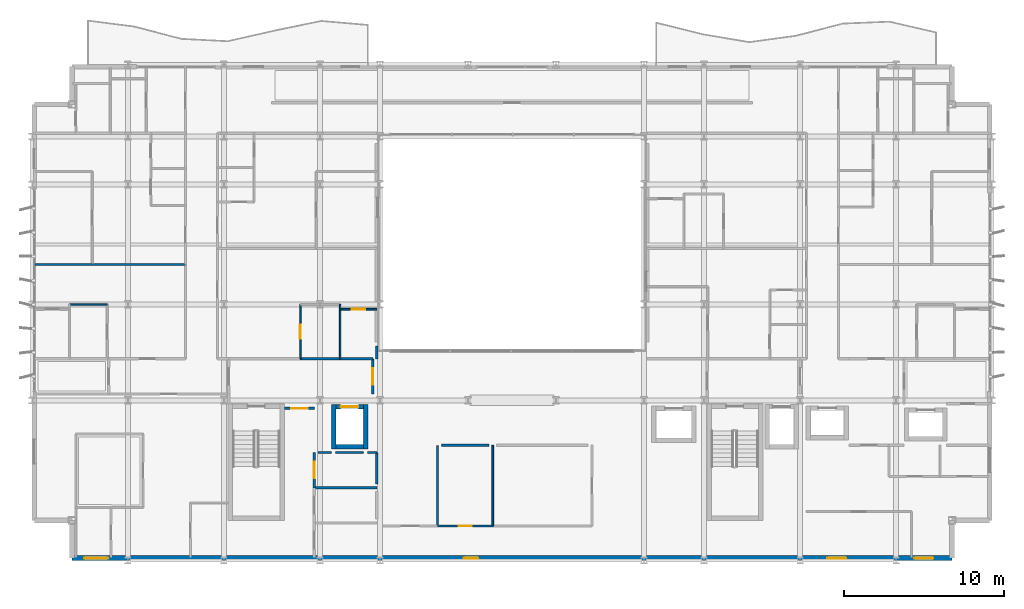
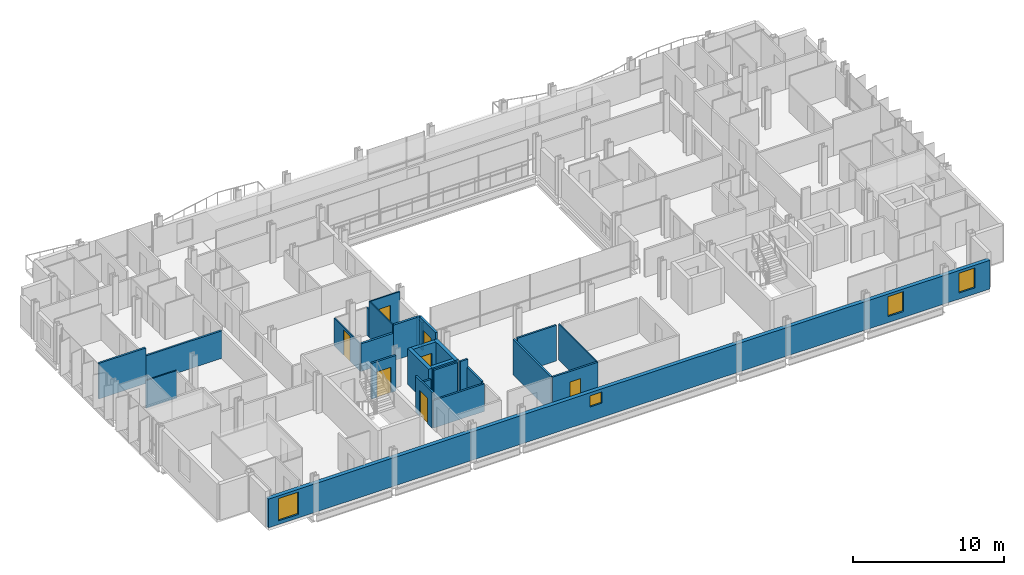
# One storey, part 28 of 38: 27 walls, 7 doors, 4 windows, 11 openings.
"""IFC4 building model written with IfcOpenShell, lengths in metres."""

from ifc_helpers import new_model, si_unit, direction, frame, frame_2d, origin, place, context, subcontext, project, spatial, rectangle, extrude, material, layer, layer_set, type_object, element, fill, save


model = new_model("IFC4")

# Units and contexts
model_context = context("Model", 3, precision=1e-05, world=origin(), true_north=direction((0.0, 1.0)))
body_context = subcontext(model_context, "Body", "Model", "MODEL_VIEW")
ifc_project = project(units=[si_unit("LENGTHUNIT", "METRE"), si_unit("AREAUNIT", "SQUARE_METRE"), si_unit("VOLUMEUNIT", "CUBIC_METRE"), si_unit("PLANEANGLEUNIT", "RADIAN"), si_unit("MASSUNIT", "GRAM", prefix="KILO")], contexts=[model_context])

# Site, building, storey
site_placement = place(None, origin())
site = spatial("IfcSite", under=ifc_project, at=site_placement, CompositionType="ELEMENT")
building_placement = place(site_placement, origin())
building = spatial("IfcBuilding", under=site, at=building_placement, Name="Brevholm Reach", CompositionType="ELEMENT")
storey_placement = place(building_placement, frame((0.0, 0.0, 52.800048828125)))
storey = spatial("IfcBuildingStorey", under=building, at=storey_placement, Name="L14", CompositionType="ELEMENT", Elevation=52.800048828125)

# Walls
ifc_material_1 = material(Name="Concrete C50/60", Category="concrete")
ifc_layer_1 = layer(ifc_material_1, 0.280029296875)
ifc_layer_set_1 = layer_set([ifc_layer_1], Name="Concrete C50/60")
wall_type_1 = type_object("IfcWallType", Name="WAL-COR-280", PredefinedType="SHEAR", material=ifc_layer_set_1)
for number, where, z_axis, x_axis, name in (
    (1, (18.85009765625, 6.9599609375, 0.0), (0.0, 0.0, 1.0), (0.0, 1.0, 0.0), "L14 Lift FFL-1 Shaft Wall W"),
    (2, (20.85009765625, 6.9599609375, 0.0), (0.0, 0.0, 1.0), (0.0, 1.0, 0.0), "L14 Lift FFL-1 Shaft Wall E"),
):
    element("IfcWall", number, at=place(storey_placement, frame(where, z_axis=z_axis, x_axis=x_axis)), inside=storey, type_object=wall_type_1, Name=name, PredefinedType="SHEAR", context=body_context, shape_type="SweptSolid", body=[
        extrude(rectangle(XDim=2.780029296875, YDim=0.280029296875, at=frame_2d((1.39013671875, 0.0))), origin(), (0.0, 0.0, 1.0), 2.869873046875),
    ])
wall_1_placement = place(storey_placement, frame((18.989990234375, 7.10009765625, 0.0), z_axis=(0.0, 0.0, 1.0), x_axis=(1.0, 0.0, 0.0)))
element("IfcWall", 3, at=wall_1_placement, inside=storey, type_object=wall_type_1, Name="L14 Lift FFL-1 Shaft Wall S", PredefinedType="SHEAR", context=body_context, shape_type="SweptSolid", body=[
    extrude(rectangle(XDim=1.719970703125, YDim=0.280029296875, at=frame_2d((0.85986328125, 0.0))), origin(), (0.0, 0.0, 1.0), 2.869873046875),
])

# Wall, opening, door
wall_2_placement = place(storey_placement, frame((18.989990234375, 9.60009765625, 0.0), z_axis=(0.0, 0.0, 1.0), x_axis=(1.0, 0.0, 0.0)))
wall_2 = element("IfcWall", 4, at=wall_2_placement, inside=storey, type_object=wall_type_1, Name="L14 Lift FFL-1 Shaft Wall N", PredefinedType="SHEAR", context=body_context, shape_type="SweptSolid", body=[
    extrude(rectangle(XDim=1.719970703125, YDim=0.280029296875, at=frame_2d((0.85986328125, 0.0))), origin(), (0.0, 0.0, 1.0), 2.869873046875),
])
opening_1_placement = place(wall_2_placement, frame((0.31005859375, 0.0, 0.0)))
opening_1 = element("IfcOpeningElement", 5, at=opening_1_placement, cuts=wall_2, Name="Opening LD-FFL-1", PredefinedType="OPENING", context=body_context, shape_type="SweptSolid", body=[
    extrude(rectangle(XDim=1.10009765625, YDim=2.06005859375, at=frame_2d((0.550048828125, 1.030029296875))), frame((0.0, 0.14990234375, 0.0), z_axis=(0.0, -1.0, 0.0), x_axis=(1.0, 0.0, 0.0)), (0.0, 0.0, 1.0), 0.300048828125),
])
ifc_material_2 = material(Name="Brushed Stainless Steel Fire-Rated Sliding Lift Door", Category="steel")
door_type_1 = type_object("IfcDoorType", Name="DOR-LFT-1100", OperationType="NOTDEFINED", PredefinedType="DOOR", material=ifc_material_2)
door_1_placement = place(opening_1_placement, origin())
door_1 = element("IfcDoor", 6, at=door_1_placement, inside=storey, type_object=door_type_1, Name="L14 Lift FFL-1 Sliding Landing Door", OperationType="SLIDING_TO_RIGHT", OverallHeight=2.06005859375, OverallWidth=1.10009765625, PredefinedType="DOOR", context=body_context, shape_type="SweptSolid", body=[
    extrude(rectangle(XDim=1.10009765625, YDim=2.06005859375, at=frame_2d((0.550048828125, 1.030029296875))), frame((0.0, 0.02490234375, 0.0), z_axis=(0.0, -1.0, 0.0), x_axis=(1.0, 0.0, 0.0)), (0.0, 0.0, 1.0), 0.050048828125),
])
fill(opening_1, door_1)

# Wall, openings, windows
ifc_material_3 = material(Name="Concrete C40/50", Category="concrete")
ifc_layer_2 = layer(ifc_material_3, 0.300048828125)
ifc_layer_set_2 = layer_set([ifc_layer_2], Name="Concrete C40/50")
wall_type_2 = type_object("IfcWallType", Name="WAL-EXT-300", PredefinedType="STANDARD", material=ifc_layer_set_2)
wall_3_placement = place(storey_placement, frame((2.5, 0.14990234375, 0.0), z_axis=(0.0, 0.0, 1.0), x_axis=(1.0, 0.0, 0.0)))
wall_3 = element("IfcWall", 7, at=wall_3_placement, inside=storey, type_object=wall_type_2, Name="L14 Facade Wall WAL-L14-S", PredefinedType="STANDARD", context=body_context, shape_type="SweptSolid", body=[
    extrude(rectangle(XDim=55.0, YDim=0.300048828125, at=frame_2d((27.5, 0.0))), origin(), (0.0, 0.0, 1.0), 2.305419921875),
])
opening_2_placement = place(wall_3_placement, frame((0.76708984375, 0.0, 0.285888671875)))
opening_2 = element("IfcOpeningElement", 8, at=opening_2_placement, cuts=wall_3, Name="Opening WN-05", PredefinedType="OPENING", context=body_context, shape_type="SweptSolid", body=[
    extrude(rectangle(XDim=1.5, YDim=1.800048828125, at=frame_2d((0.75, 0.89990234375))), frame((0.0, 0.159912109375, 0.0), z_axis=(0.0, -1.0, 0.0), x_axis=(1.0, 0.0, 0.0)), (0.0, 0.0, 1.0), 0.320068359375),
])
opening_3_placement = place(wall_3_placement, frame((24.5, 0.0, 1.14990234375)))
opening_3 = element("IfcOpeningElement", 9, at=opening_3_placement, cuts=wall_3, Name="Opening WN-09", PredefinedType="OPENING", context=body_context, shape_type="SweptSolid", body=[
    extrude(rectangle(XDim=0.89990234375, YDim=0.89990234375, at=frame_2d((0.449951171875, 0.449951171875))), frame((0.0, 0.159912109375, 0.0), z_axis=(0.0, -1.0, 0.0), x_axis=(1.0, 0.0, 0.0)), (0.0, 0.0, 1.0), 0.320068359375),
])
opening_4_placement = place(wall_3_placement, frame((47.199951171875, 0.0, 0.486083984375)))
opening_4 = element("IfcOpeningElement", 10, at=opening_4_placement, cuts=wall_3, Name="Opening WN-08", PredefinedType="OPENING", context=body_context, shape_type="SweptSolid", body=[
    extrude(rectangle(XDim=1.199951171875, YDim=1.60009765625, at=frame_2d((0.60009765625, 0.800048828125))), frame((0.0, 0.159912109375, 0.0), z_axis=(0.0, -1.0, 0.0), x_axis=(1.0, 0.0, 0.0)), (0.0, 0.0, 1.0), 0.320068359375),
])
opening_5_placement = place(wall_3_placement, frame((52.6298828125, 0.0, 0.486083984375)))
opening_5 = element("IfcOpeningElement", 11, at=opening_5_placement, cuts=wall_3, Name="Opening WN-08", PredefinedType="OPENING", context=body_context, shape_type="SweptSolid", body=[
    extrude(rectangle(XDim=1.199951171875, YDim=1.60009765625, at=frame_2d((0.60009765625, 0.800048828125))), frame((0.0, 0.159912109375, 0.0), z_axis=(0.0, -1.0, 0.0), x_axis=(1.0, 0.0, 0.0)), (0.0, 0.0, 1.0), 0.320068359375),
])
ifc_material_4 = material(Name="Dark Anodised Aluminium and Solar-Control IGU Glass", Category="aluminium")
window_type_1 = type_object("IfcWindowType", Name="WIN-POR-0900", PartitioningType="SINGLE_PANEL", PredefinedType="WINDOW", material=ifc_material_4)
window_1_placement = place(opening_3_placement, origin())
window_1 = element("IfcWindow", 12, at=window_1_placement, inside=storey, type_object=window_type_1, Name="L14 Window WIN-L14-S-POR", OverallHeight=0.89990234375, OverallWidth=0.89990234375, PartitioningType="SINGLE_PANEL", PredefinedType="WINDOW", context=body_context, shape_type="SweptSolid", body=[
    extrude(rectangle(XDim=0.89990234375, YDim=0.89990234375, at=frame_2d((0.449951171875, 0.449951171875))), frame((0.0, 0.030029296875, 0.0), z_axis=(0.0, -1.0, 0.0), x_axis=(1.0, 0.0, 0.0)), (0.0, 0.0, 1.0), 0.06005859375),
])
fill(opening_3, window_1)
ifc_material_5 = material(Name="Dark Anodised Aluminium and Solar-Control IGU Glass", Category="aluminium")
window_type_2 = type_object("IfcWindowType", Name="WIN-RES-1200", PartitioningType="SINGLE_PANEL", PredefinedType="WINDOW", material=ifc_material_5)
window_2_placement = place(opening_4_placement, origin())
window_2 = element("IfcWindow", 13, at=window_2_placement, inside=storey, type_object=window_type_2, Name="L14 Window WIN-L14-S-E1", OverallHeight=1.60009765625, OverallWidth=1.199951171875, PartitioningType="SINGLE_PANEL", PredefinedType="WINDOW", context=body_context, shape_type="SweptSolid", body=[
    extrude(rectangle(XDim=1.199951171875, YDim=1.60009765625, at=frame_2d((0.60009765625, 0.800048828125))), frame((0.0, 0.030029296875, 0.0), z_axis=(0.0, -1.0, 0.0), x_axis=(1.0, 0.0, 0.0)), (0.0, 0.0, 1.0), 0.06005859375),
])
fill(opening_4, window_2)
window_3_placement = place(opening_5_placement, origin())
window_3 = element("IfcWindow", 14, at=window_3_placement, inside=storey, type_object=window_type_2, Name="L14 Window WIN-L14-S-E2", OverallHeight=1.60009765625, OverallWidth=1.199951171875, PartitioningType="SINGLE_PANEL", PredefinedType="WINDOW", context=body_context, shape_type="SweptSolid", body=[
    extrude(rectangle(XDim=1.199951171875, YDim=1.60009765625, at=frame_2d((0.60009765625, 0.800048828125))), frame((0.0, 0.030029296875, 0.0), z_axis=(0.0, -1.0, 0.0), x_axis=(1.0, 0.0, 0.0)), (0.0, 0.0, 1.0), 0.06005859375),
])
fill(opening_5, window_3)
ifc_material_6 = material(Name="Dark Anodised Aluminium and Solar-Control IGU Glass", Category="aluminium")
window_type_3 = type_object("IfcWindowType", Name="WIN-RES-1500", PartitioningType="SINGLE_PANEL", PredefinedType="WINDOW", material=ifc_material_6)
window_4_placement = place(opening_2_placement, origin())
window_4 = element("IfcWindow", 15, at=window_4_placement, inside=storey, type_object=window_type_3, Name="L14 Window WIN-L14-S-W1", OverallHeight=1.800048828125, OverallWidth=1.5, PartitioningType="SINGLE_PANEL", PredefinedType="WINDOW", context=body_context, shape_type="SweptSolid", body=[
    extrude(rectangle(XDim=1.5, YDim=1.800048828125, at=frame_2d((0.75, 0.89990234375))), frame((0.0, 0.030029296875, 0.0), z_axis=(0.0, -1.0, 0.0), x_axis=(1.0, 0.0, 0.0)), (0.0, 0.0, 1.0), 0.06005859375),
])
fill(opening_2, window_4)

# Walls
ifc_material_7 = material(Name="Moisture-Resistant Acoustic Gypsum Stud Partition 100 mm", Category="gypsum")
ifc_layer_3 = layer(ifc_material_7, 0.10009765625)
ifc_layer_set_3 = layer_set([ifc_layer_3], Name="Moisture-Resistant Acoustic Gypsum Stud Partition 100 mm")
wall_type_3 = type_object("IfcWallType", Name="WAL-PRT-100", PredefinedType="PARTITIONING", material=ifc_layer_set_3)
wall_4_placement = place(storey_placement, frame((28.800048828125, 2.154052734375, 0.0), z_axis=(0.0, 0.0, 1.0), x_axis=(0.0, 1.0, 0.0)))
element("IfcWall", 16, at=wall_4_placement, inside=storey, type_object=wall_type_3, Name="L14 Internal Partition 006", PredefinedType="PARTITIONING", context=body_context, shape_type="SweptSolid", body=[
    extrude(rectangle(XDim=5.0458984375, YDim=0.10009765625, at=frame_2d((2.52294921875, 0.0))), origin(), (0.0, 0.0, 1.0), 2.869873046875),
])
wall_5_placement = place(storey_placement, frame((2.362060546875, 16.0, 0.0), z_axis=(0.0, 0.0, 1.0), x_axis=(1.0, 0.0, 0.0)))
element("IfcWall", 17, at=wall_5_placement, inside=storey, type_object=wall_type_3, Name="L14 Internal Partition 082", PredefinedType="PARTITIONING", context=body_context, shape_type="SweptSolid", body=[
    extrude(rectangle(XDim=2.349853515625, YDim=0.10009765625, at=frame_2d((1.1748046875, 0.0))), origin(), (0.0, 0.0, 1.0), 2.224853515625),
])
wall_6_placement = place(storey_placement, frame((19.260986328125, 12.60400390625, 0.0), z_axis=(0.0, 0.0, 1.0), x_axis=(0.0, 1.0, 0.0)))
element("IfcWall", 18, at=wall_6_placement, inside=storey, type_object=wall_type_3, Name="L14 Internal Partition 097", PredefinedType="PARTITIONING", context=body_context, shape_type="SweptSolid", body=[
    extrude(rectangle(XDim=3.095947265625, YDim=0.10009765625, at=frame_2d((1.5478515625, 0.0))), origin(), (0.0, 0.0, 1.0), 2.869873046875),
])

# Wall, opening, door
wall_7_placement = place(storey_placement, frame((19.260986328125, 15.699951171875, 0.0), z_axis=(0.0, 0.0, 1.0), x_axis=(1.0, 0.0, 0.0)))
wall_7 = element("IfcWall", 19, at=wall_7_placement, inside=storey, type_object=wall_type_3, Name="L14 Internal Partition 098", PredefinedType="PARTITIONING", context=body_context, shape_type="SweptSolid", body=[
    extrude(rectangle(XDim=2.2890625, YDim=0.10009765625, at=frame_2d((1.14453125, 0.0))), origin(), (0.0, 0.0, 1.0), 2.869873046875),
])
opening_6_placement = place(wall_7_placement, frame((0.734619140625, 0.0, 0.0)))
opening_6 = element("IfcOpeningElement", 20, at=opening_6_placement, cuts=wall_7, Name="Opening ID-03", PredefinedType="OPENING", context=body_context, shape_type="SweptSolid", body=[
    extrude(rectangle(XDim=0.820068359375, YDim=2.02001953125, at=frame_2d((0.41015625, 1.010009765625))), frame((0.0, 0.06005859375, 0.0), z_axis=(0.0, -1.0, 0.0), x_axis=(1.0, 0.0, 0.0)), (0.0, 0.0, 1.0), 0.1201171875),
])
ifc_material_8 = material(Name="Moisture-Resistant Painted Timber Internal Bathroom Door", Category="wood")
door_type_2 = type_object("IfcDoorType", Name="DOR-BATH-820", OperationType="NOTDEFINED", PredefinedType="DOOR", material=ifc_material_8)
door_2_placement = place(opening_6_placement, origin())
door_2 = element("IfcDoor", 21, at=door_2_placement, inside=storey, type_object=door_type_2, Name="L14 Internal Door 038", OperationType="SINGLE_SWING_RIGHT", OverallHeight=2.02001953125, OverallWidth=0.820068359375, PredefinedType="DOOR", context=body_context, shape_type="SweptSolid", body=[
    extrude(rectangle(XDim=0.820068359375, YDim=2.02001953125, at=frame_2d((0.41015625, 1.010009765625))), frame((0.0, 0.02490234375, 0.0), z_axis=(0.0, -1.0, 0.0), x_axis=(1.0, 0.0, 0.0)), (0.0, 0.0, 1.0), 0.050048828125),
])
fill(opening_6, door_2)

# Wall
wall_8_placement = place(storey_placement, frame((19.260986328125, 15.7041015625, 0.0), z_axis=(0.0, 0.0, 1.0), x_axis=(0.0, 1.0, 0.0)))
element("IfcWall", 22, at=wall_8_placement, inside=storey, type_object=wall_type_3, Name="L14 Internal Partition 099", PredefinedType="PARTITIONING", context=body_context, shape_type="SweptSolid", body=[
    extrude(rectangle(XDim=0.2958984375, YDim=0.10009765625, at=frame_2d((0.14794921875, 0.0))), origin(), (0.0, 0.0, 1.0), 2.224853515625),
])

# Wall, opening, door
wall_9_placement = place(storey_placement, frame((16.77294921875, 12.60400390625, 0.0), z_axis=(0.0, 0.0, 1.0), x_axis=(0.0, 1.0, 0.0)))
wall_9 = element("IfcWall", 23, at=wall_9_placement, inside=storey, type_object=wall_type_3, Name="L14 Internal Partition 101", PredefinedType="PARTITIONING", context=body_context, shape_type="SweptSolid", body=[
    extrude(rectangle(XDim=3.39599609375, YDim=0.10009765625, at=frame_2d((1.697998046875, 0.0))), origin(), (0.0, 0.0, 1.0), 2.224853515625),
])
opening_7_placement = place(wall_9_placement, frame((1.258056640625, 0.0, 0.0)))
opening_7 = element("IfcOpeningElement", 24, at=opening_7_placement, cuts=wall_9, Name="Opening ID-01", PredefinedType="OPENING", context=body_context, shape_type="SweptSolid", body=[
    extrude(rectangle(XDim=0.8798828125, YDim=2.0400390625, at=frame_2d((0.43994140625, 1.02001953125))), frame((0.0, 0.06005859375, 0.0), z_axis=(0.0, -1.0, 0.0), x_axis=(1.0, 0.0, 0.0)), (0.0, 0.0, 1.0), 0.1201171875),
])
ifc_material_9 = material(Name="Lacquered Ash Solid-Core Acoustic Internal Door", Category="timber")
door_type_3 = type_object("IfcDoorType", Name="DOR-INT-880", OperationType="NOTDEFINED", PredefinedType="DOOR", material=ifc_material_9)
door_3_placement = place(opening_7_placement, origin())
door_3 = element("IfcDoor", 25, at=door_3_placement, inside=storey, type_object=door_type_3, Name="L14 Internal Door 039", OperationType="SINGLE_SWING_LEFT", OverallHeight=2.0400390625, OverallWidth=0.8798828125, PredefinedType="DOOR", context=body_context, shape_type="SweptSolid", body=[
    extrude(rectangle(XDim=0.8798828125, YDim=2.0400390625, at=frame_2d((0.43994140625, 1.02001953125))), frame((0.0, 0.02490234375, 0.0), z_axis=(0.0, -1.0, 0.0), x_axis=(1.0, 0.0, 0.0)), (0.0, 0.0, 1.0), 0.050048828125),
])
fill(opening_7, door_3)

ifc_material_10 = material(Name="Twin-Stud Acoustic Fire-Rated Gypsum Partition 140 mm", Category="gypsum")
ifc_layer_4 = layer(ifc_material_10, 0.139892578125)
ifc_layer_set_4 = layer_set([ifc_layer_4], Name="Twin-Stud Acoustic Fire-Rated Gypsum Partition 140 mm")
wall_type_4 = type_object("IfcWallType", Name="WAL-PRT-140", PredefinedType="PARTITIONING", material=ifc_layer_set_4)
wall_10_placement = place(storey_placement, frame((25.332763671875, 2.14990234375, 0.0), z_axis=(0.0, 0.0, 1.0), x_axis=(1.0, 0.0, 0.0)))
wall_10 = element("IfcWall", 26, at=wall_10_placement, inside=storey, type_object=wall_type_4, Name="L14 Internal Partition 003", PredefinedType="PARTITIONING", context=body_context, shape_type="SweptSolid", body=[
    extrude(rectangle(XDim=3.478515625, YDim=0.139892578125, at=frame_2d((1.7392578125, 0.0))), origin(), (0.0, 0.0, 1.0), 2.869873046875),
])
opening_8_placement = place(wall_10_placement, frame((1.329345703125, 0.0, 0.0)))
opening_8 = element("IfcOpeningElement", 27, at=opening_8_placement, cuts=wall_10, Name="Opening ID-02", PredefinedType="OPENING", context=body_context, shape_type="SweptSolid", body=[
    extrude(rectangle(XDim=0.820068359375, YDim=2.02001953125, at=frame_2d((0.41015625, 1.010009765625))), frame((0.0, 0.079833984375, 0.0), z_axis=(0.0, -1.0, 0.0), x_axis=(1.0, 0.0, 0.0)), (0.0, 0.0, 1.0), 0.159912109375),
])
ifc_material_11 = material(Name="Moisture-Resistant Painted Timber Fire-Rated Riser and Service Door", Category="wood")
door_type_4 = type_object("IfcDoorType", Name="DOR-SRV-820", OperationType="NOTDEFINED", PredefinedType="DOOR", material=ifc_material_11)
door_4_placement = place(opening_8_placement, origin())
door_4 = element("IfcDoor", 28, at=door_4_placement, inside=storey, type_object=door_type_4, Name="L14 Internal Door 003", OperationType="SINGLE_SWING_LEFT", OverallHeight=2.02001953125, OverallWidth=0.820068359375, PredefinedType="DOOR", context=body_context, shape_type="SweptSolid", body=[
    extrude(rectangle(XDim=0.820068359375, YDim=2.02001953125, at=frame_2d((0.41015625, 1.010009765625))), frame((0.0, 0.02490234375, 0.0), z_axis=(0.0, -1.0, 0.0), x_axis=(1.0, 0.0, 0.0)), (0.0, 0.0, 1.0), 0.050048828125),
])
fill(opening_8, door_4)

# Wall
wall_11_placement = place(storey_placement, frame((25.340087890625, 2.154052734375, 0.0), z_axis=(0.0, 0.0, 1.0), x_axis=(0.0, 1.0, 0.0)))
element("IfcWall", 29, at=wall_11_placement, inside=storey, type_object=wall_type_4, Name="L14 Internal Partition 005", PredefinedType="PARTITIONING", context=body_context, shape_type="SweptSolid", body=[
    extrude(rectangle(XDim=5.0458984375, YDim=0.139892578125, at=frame_2d((2.52294921875, 0.0))), origin(), (0.0, 0.0, 1.0), 2.869873046875),
])

# Wall, opening, door
wall_12_placement = place(storey_placement, frame((17.64990234375, 4.542724609375, 0.0), z_axis=(0.0, 0.0, 1.0), x_axis=(0.0, 1.0, 0.0)))
wall_12 = element("IfcWall", 30, at=wall_12_placement, inside=storey, type_object=wall_type_4, Name="L14 Internal Partition 009", PredefinedType="PARTITIONING", context=body_context, shape_type="SweptSolid", body=[
    extrude(rectangle(XDim=2.218505859375, YDim=0.139892578125, at=frame_2d((1.109375, 0.0))), origin(), (0.0, 0.0, 1.0), 2.869873046875),
])
opening_9_placement = place(wall_12_placement, frame((0.584228515625, 0.0, 0.0)))
opening_9 = element("IfcOpeningElement", 31, at=opening_9_placement, cuts=wall_12, Name="Opening FD-01", PredefinedType="OPENING", context=body_context, shape_type="SweptSolid", body=[
    extrude(rectangle(XDim=1.050048828125, YDim=2.06005859375, at=frame_2d((0.52490234375, 1.030029296875))), frame((0.0, 0.079833984375, 0.0), z_axis=(0.0, -1.0, 0.0), x_axis=(1.0, 0.0, 0.0)), (0.0, 0.0, 1.0), 0.159912109375),
])
ifc_material_12 = material(Name="Hardwood-Lipped Steel-Core Fire and Smoke Door", Category="steel")
door_type_5 = type_object("IfcDoorType", Name="DOR-INT-FD60S", OperationType="NOTDEFINED", PredefinedType="DOOR", material=ifc_material_12)
door_5_placement = place(opening_9_placement, origin())
door_5 = element("IfcDoor", 32, at=door_5_placement, inside=storey, type_object=door_type_5, Name="L14 Internal Door 006", OperationType="SINGLE_SWING_RIGHT", OverallHeight=2.06005859375, OverallWidth=1.050048828125, PredefinedType="DOOR", context=body_context, shape_type="SweptSolid", body=[
    extrude(rectangle(XDim=1.050048828125, YDim=2.06005859375, at=frame_2d((0.52490234375, 1.030029296875))), frame((0.0, 0.02490234375, 0.0), z_axis=(0.0, -1.0, 0.0), x_axis=(1.0, 0.0, 0.0)), (0.0, 0.0, 1.0), 0.050048828125),
])
fill(opening_9, door_5)

# Walls
wall_13_placement = place(storey_placement, frame((17.654052734375, 4.550048828125, 0.0), z_axis=(0.0, 0.0, 1.0), x_axis=(1.0, 0.0, 0.0)))
element("IfcWall", 33, at=wall_13_placement, inside=storey, type_object=wall_type_4, Name="L14 Internal Partition 012", PredefinedType="PARTITIONING", context=body_context, shape_type="SweptSolid", body=[
    extrude(rectangle(XDim=3.89599609375, YDim=0.139892578125, at=frame_2d((1.947998046875, 0.0))), origin(), (0.0, 0.0, 1.0), 2.224853515625),
])
wall_14_placement = place(storey_placement, frame((0.199951171875, 18.5, 0.0), z_axis=(0.0, 0.0, 1.0), x_axis=(1.0, 0.0, 0.0)))
element("IfcWall", 34, at=wall_14_placement, inside=storey, type_object=wall_type_4, Name="L14 Internal Partition 084", PredefinedType="PARTITIONING", context=body_context, shape_type="SweptSolid", body=[
    extrude(rectangle(XDim=3.583251953125, YDim=0.139892578125, at=frame_2d((1.79150390625, 0.0))), origin(), (0.0, 0.0, 1.0), 2.869873046875),
])
wall_15_placement = place(storey_placement, frame((3.7646484375, 18.5, 0.0), z_axis=(0.0, 0.0, 1.0), x_axis=(1.0, 0.0, 0.0)))
element("IfcWall", 35, at=wall_15_placement, inside=storey, type_object=wall_type_4, Name="L14 Internal Partition 085", PredefinedType="PARTITIONING", context=body_context, shape_type="SweptSolid", body=[
    extrude(rectangle(XDim=5.831298828125, YDim=0.139892578125, at=frame_2d((2.91552734375, 0.0))), origin(), (0.0, 0.0, 1.0), 2.224853515625),
])
wall_16_placement = place(storey_placement, frame((25.580078125, 7.199951171875, 0.0), z_axis=(0.0, 0.0, 1.0), x_axis=(1.0, 0.0, 0.0)))
element("IfcWall", 36, at=wall_16_placement, inside=storey, type_object=wall_type_4, Name="L14 Internal Partition 154", PredefinedType="PARTITIONING", context=body_context, shape_type="SweptSolid", body=[
    extrude(rectangle(XDim=2.97998046875, YDim=0.139892578125, at=frame_2d((1.489990234375, 0.0))), origin(), (0.0, 0.0, 1.0), 2.869873046875),
])
wall_17_placement = place(storey_placement, frame((21.550048828125, 4.7900390625, 0.0), z_axis=(0.0, 0.0, 1.0), x_axis=(0.0, 1.0, 0.0)))
element("IfcWall", 37, at=wall_17_placement, inside=storey, type_object=wall_type_4, Name="L14 Internal Partition 157", PredefinedType="PARTITIONING", context=body_context, shape_type="SweptSolid", body=[
    extrude(rectangle(XDim=1.9599609375, YDim=0.139892578125, at=frame_2d((0.97998046875, 0.0))), origin(), (0.0, 0.0, 1.0), 2.224853515625),
])
wall_18_placement = place(storey_placement, frame((20.9658203125, 6.75, 0.0), z_axis=(0.0, 0.0, 1.0), x_axis=(1.0, 0.0, 0.0)))
element("IfcWall", 38, at=wall_18_placement, inside=storey, type_object=wall_type_4, Name="L14 Internal Partition 158", PredefinedType="PARTITIONING", context=body_context, shape_type="SweptSolid", body=[
    extrude(rectangle(XDim=0.584228515625, YDim=0.139892578125, at=frame_2d((0.2919921875, 0.0))), origin(), (0.0, 0.0, 1.0), 2.869873046875),
])
wall_19_placement = place(storey_placement, frame((18.9658203125, 6.75, 0.0), z_axis=(0.0, 0.0, 1.0), x_axis=(1.0, 0.0, 0.0)))
element("IfcWall", 39, at=wall_19_placement, inside=storey, type_object=wall_type_4, Name="L14 Internal Partition 159", PredefinedType="PARTITIONING", context=body_context, shape_type="SweptSolid", body=[
    extrude(rectangle(XDim=1.768310546875, YDim=0.139892578125, at=frame_2d((0.88427734375, 0.0))), origin(), (0.0, 0.0, 1.0), 2.869873046875),
])
wall_20_placement = place(storey_placement, frame((17.889892578125, 6.75, 0.0), z_axis=(0.0, 0.0, 1.0), x_axis=(1.0, 0.0, 0.0)))
element("IfcWall", 40, at=wall_20_placement, inside=storey, type_object=wall_type_4, Name="L14 Internal Partition 160", PredefinedType="PARTITIONING", context=body_context, shape_type="SweptSolid", body=[
    extrude(rectangle(XDim=0.84423828125, YDim=0.139892578125, at=frame_2d((0.422119140625, 0.0))), origin(), (0.0, 0.0, 1.0), 2.224853515625),
])
wall_21_placement = place(storey_placement, frame((21.550048828125, 12.60400390625, 0.0), z_axis=(0.0, 0.0, 1.0), x_axis=(0.0, 1.0, 0.0)))
element("IfcWall", 41, at=wall_21_placement, inside=storey, type_object=wall_type_4, Name="L14 Internal Partition 161", PredefinedType="PARTITIONING", context=body_context, shape_type="SweptSolid", body=[
    extrude(rectangle(XDim=0.811279296875, YDim=0.139892578125, at=frame_2d((0.40576171875, 0.0))), origin(), (0.0, 0.0, 1.0), 2.224853515625),
])

# Wall, opening, door
ifc_material_13 = material(Name="Twin-Frame Fire-Rated Gypsum Board and Mineral Wool 160 mm", Category="gypsum")
ifc_layer_5 = layer(ifc_material_13, 0.159912109375)
ifc_layer_set_5 = layer_set([ifc_layer_5], Name="Twin-Frame Fire-Rated Gypsum Board and Mineral Wool 160 mm")
wall_type_5 = type_object("IfcWallType", Name="WAL-PRT-160", PredefinedType="PARTITIONING", material=ifc_layer_set_5)
wall_22_placement = place(storey_placement, frame((15.800048828125, 9.5, 0.0), z_axis=(0.0, 0.0, 1.0), x_axis=(1.0, 0.0, 0.0)))
wall_22 = element("IfcWall", 42, at=wall_22_placement, inside=storey, type_object=wall_type_5, Name="L14 Internal Partition 010", PredefinedType="PARTITIONING", context=body_context, shape_type="SweptSolid", body=[
    extrude(rectangle(XDim=1.849853515625, YDim=0.159912109375, at=frame_2d((0.9248046875, 0.0))), origin(), (0.0, 0.0, 1.0), 2.869873046875),
])
opening_10_placement = place(wall_22_placement, frame((0.39990234375, 0.0, 0.0)))
opening_10 = element("IfcOpeningElement", 43, at=opening_10_placement, cuts=wall_22, Name="Opening FD-01", PredefinedType="OPENING", context=body_context, shape_type="SweptSolid", body=[
    extrude(rectangle(XDim=1.050048828125, YDim=2.06005859375, at=frame_2d((0.52490234375, 1.030029296875))), frame((0.0, 0.08984375, 0.0), z_axis=(0.0, -1.0, 0.0), x_axis=(1.0, 0.0, 0.0)), (0.0, 0.0, 1.0), 0.179931640625),
])
door_6_placement = place(opening_10_placement, origin())
door_6 = element("IfcDoor", 44, at=door_6_placement, inside=storey, type_object=door_type_5, Name="L14 Internal Door 007", OperationType="SINGLE_SWING_LEFT", OverallHeight=2.06005859375, OverallWidth=1.050048828125, PredefinedType="DOOR", context=body_context, shape_type="SweptSolid", body=[
    extrude(rectangle(XDim=1.050048828125, YDim=2.06005859375, at=frame_2d((0.52490234375, 1.030029296875))), frame((0.0, 0.02490234375, 0.0), z_axis=(0.0, -1.0, 0.0), x_axis=(1.0, 0.0, 0.0)), (0.0, 0.0, 1.0), 0.050048828125),
])
fill(opening_10, door_6)

wall_23_placement = place(storey_placement, frame((21.300048828125, 10.388671875, 0.0), z_axis=(0.0, 0.0, 1.0), x_axis=(0.0, 1.0, 0.0)))
wall_23 = element("IfcWall", 45, at=wall_23_placement, inside=storey, type_object=wall_type_5, Name="L14 Internal Partition 018", PredefinedType="PARTITIONING", context=body_context, shape_type="SweptSolid", body=[
    extrude(rectangle(XDim=2.21142578125, YDim=0.159912109375, at=frame_2d((1.105712890625, 0.0))), origin(), (0.0, 0.0, 1.0), 2.869873046875),
])
opening_11_placement = place(wall_23_placement, frame((0.58056640625, 0.0, 0.0)))
opening_11 = element("IfcOpeningElement", 46, at=opening_11_placement, cuts=wall_23, Name="Opening FD-01", PredefinedType="OPENING", context=body_context, shape_type="SweptSolid", body=[
    extrude(rectangle(XDim=1.050048828125, YDim=2.06005859375, at=frame_2d((0.52490234375, 1.030029296875))), frame((0.0, 0.08984375, 0.0), z_axis=(0.0, -1.0, 0.0), x_axis=(1.0, 0.0, 0.0)), (0.0, 0.0, 1.0), 0.179931640625),
])
door_7_placement = place(opening_11_placement, origin())
door_7 = element("IfcDoor", 47, at=door_7_placement, inside=storey, type_object=door_type_5, Name="L14 Internal Door 012", OperationType="SINGLE_SWING_RIGHT", OverallHeight=2.06005859375, OverallWidth=1.050048828125, PredefinedType="DOOR", context=body_context, shape_type="SweptSolid", body=[
    extrude(rectangle(XDim=1.050048828125, YDim=2.06005859375, at=frame_2d((0.52490234375, 1.030029296875))), frame((0.0, 0.02490234375, 0.0), z_axis=(0.0, -1.0, 0.0), x_axis=(1.0, 0.0, 0.0)), (0.0, 0.0, 1.0), 0.050048828125),
])
fill(opening_11, door_7)

# Walls
wall_24_placement = place(storey_placement, frame((19.249755859375, 12.60009765625, 0.0), z_axis=(0.0, 0.0, 1.0), x_axis=(1.0, 0.0, 0.0)))
element("IfcWall", 48, at=wall_24_placement, inside=storey, type_object=wall_type_5, Name="L14 Internal Partition 020", PredefinedType="PARTITIONING", context=body_context, shape_type="SweptSolid", body=[
    extrude(rectangle(XDim=2.05029296875, YDim=0.159912109375, at=frame_2d((1.025146484375, 0.0))), origin(), (0.0, 0.0, 1.0), 2.869873046875),
])
wall_25_placement = place(storey_placement, frame((16.76171875, 12.60009765625, 0.0), z_axis=(0.0, 0.0, 1.0), x_axis=(1.0, 0.0, 0.0)))
element("IfcWall", 49, at=wall_25_placement, inside=storey, type_object=wall_type_5, Name="L14 Internal Partition 021", PredefinedType="PARTITIONING", context=body_context, shape_type="SweptSolid", body=[
    extrude(rectangle(XDim=2.506591796875, YDim=0.159912109375, at=frame_2d((1.25341796875, 0.0))), origin(), (0.0, 0.0, 1.0), 2.224853515625),
])

save(model, "model.ifc")
